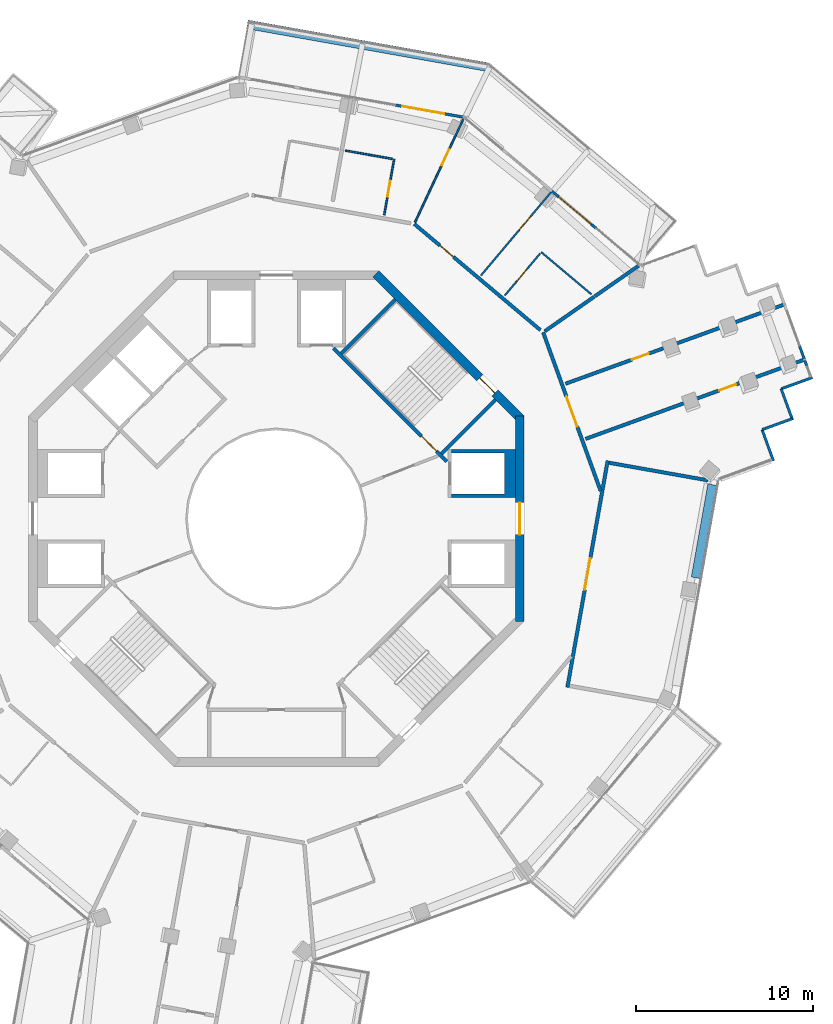
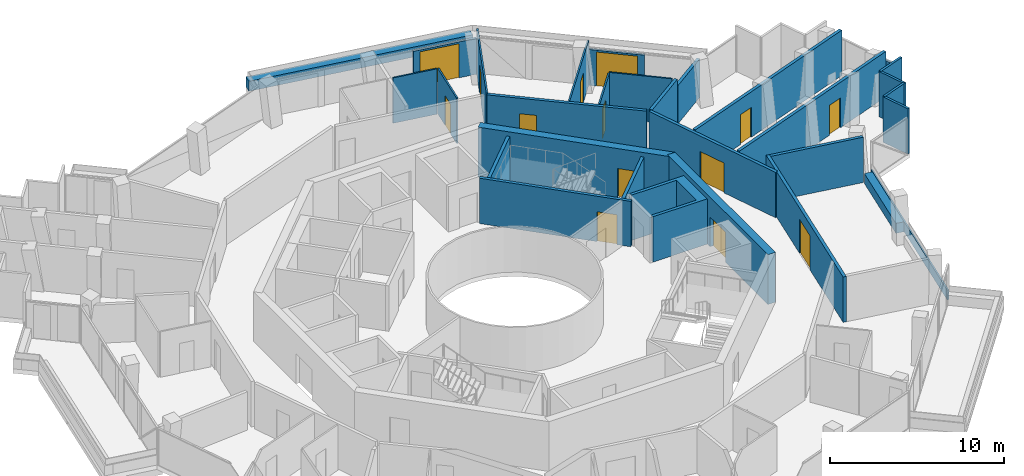
# One storey, part 18 of 22: 31 walls, 14 doors, 14 openings.
"""IFC4 building model written with IfcOpenShell, lengths in metres."""

from ifc_helpers import new_model, si_unit, direction, frame, frame_2d, origin, place, context, subcontext, project, spatial, polyline, rectangle, outline, extrude, material, layer, layer_set, type_object, element, fill, save


model = new_model("IFC4")

# Units and contexts
model_context = context("Model", 3, precision=1e-05, world=origin(), true_north=direction((0.0, 1.0)))
body_context = subcontext(model_context, "Body", "Model", "MODEL_VIEW")
ifc_project = project(units=[si_unit("LENGTHUNIT", "METRE"), si_unit("AREAUNIT", "SQUARE_METRE"), si_unit("VOLUMEUNIT", "CUBIC_METRE"), si_unit("PLANEANGLEUNIT", "RADIAN"), si_unit("MASSUNIT", "GRAM", prefix="KILO")], contexts=[model_context])

# Site, building, storey
site_placement = place(None, origin())
site = spatial("IfcSite", under=ifc_project, at=site_placement, CompositionType="ELEMENT")
building_placement = place(site_placement, origin())
building = spatial("IfcBuilding", under=site, at=building_placement, Name="Verdalira Terraces Hotel", CompositionType="ELEMENT")
storey_placement = place(building_placement, frame((0.0, 0.0, 237.5)))
storey = spatial("IfcBuildingStorey", under=building, at=storey_placement, Name="L58", CompositionType="ELEMENT", Elevation=237.5)

# Walls
ifc_material_1 = material(Name="Concrete C40", Category="concrete")
ifc_layer_1 = layer(ifc_material_1, 0.5)
ifc_layer_set_1 = layer_set([ifc_layer_1], Name="Balcony planter trough with tree")
wall_type_1 = type_object("IfcWallType", Name="Balcony planter trough with tree", PredefinedType="SOLIDWALL", material=ifc_layer_set_1)
wall_1_placement = place(storey_placement, frame((11.874023, 25.52417, 0.0), z_axis=(0.0, 0.0, 1.0), x_axis=(-0.984565369, 0.175017239, 0.0)))
element("IfcWall", 1, at=wall_1_placement, inside=storey, type_object=wall_type_1, Name="Balcony planter", PredefinedType="SOLIDWALL", context=body_context, shape_type="SweptSolid", body=[
    extrude(rectangle(XDim=13.723633, YDim=0.5, at=frame_2d((6.861816, 0.0))), origin(), (0.0, 0.0, 1.0), 0.699951),
])
ifc_material_2 = material(Name="Moisture-resistant gypsum board partition")
ifc_layer_2 = layer(ifc_material_2, 0.10009765625)
ifc_layer_set_2 = layer_set([ifc_layer_2], Name="Bathroom partition 100 mm")
wall_type_2 = type_object("IfcWallType", Name="Bathroom partition 100 mm", PredefinedType="PARTITIONING", material=ifc_layer_set_2)
wall_2_placement = place(storey_placement, frame((6.55835, 20.324219, 0.0), z_axis=(0.0, 0.0, 1.0), x_axis=(-0.984572549, 0.174976844, 0.0)))
element("IfcWall", 2, at=wall_2_placement, inside=storey, type_object=wall_type_2, Name="Bathroom partition", PredefinedType="PARTITIONING", context=body_context, shape_type="SweptSolid", body=[
    extrude(rectangle(XDim=2.699951, YDim=0.100098, at=frame_2d((1.350098, 0.0))), origin(), (0.0, 0.0, 1.0), 3.189941),
])

# Wall, opening, door
wall_3_placement = place(storey_placement, frame((6.09668, 17.156006, 0.0), z_axis=(0.0, 0.0, 1.0), x_axis=(0.175090855, 0.98455228, 0.0)))
wall_3 = element("IfcWall", 3, at=wall_3_placement, inside=storey, type_object=wall_type_2, Name="Bathroom partition", PredefinedType="PARTITIONING", context=body_context, shape_type="SweptSolid", body=[
    extrude(rectangle(XDim=3.199951, YDim=0.100098, at=frame_2d((1.600098, 0.0))), origin(), (0.0, 0.0, 1.0), 3.189941),
])
opening_1_placement = place(wall_3_placement, frame((1.050049, 0.0, 0.0)))
opening_1 = element("IfcOpeningElement", 4, at=opening_1_placement, cuts=wall_3, Name="Opening L58-126", PredefinedType="OPENING", context=body_context, shape_type="SweptSolid", body=[
    extrude(rectangle(XDim=0.899902, YDim=2.100098, at=frame_2d((0.449951, 1.050049))), frame((0.0, 0.060059, 0.0), z_axis=(0.0, -1.0, 0.0), x_axis=(1.0, 0.0, 0.0)), (0.0, 0.0, 1.0), 0.120117),
])
ifc_material_3 = material(Name="Timber door", Category="wood")
door_type_1 = type_object("IfcDoorType", Name="Bathroom door 900 x 2100", OperationType="NOTDEFINED", PredefinedType="DOOR", material=ifc_material_3)
door_1_placement = place(opening_1_placement, origin())
door_1 = element("IfcDoor", 5, at=door_1_placement, inside=storey, type_object=door_type_1, Name="Bathroom door 5809", OperationType="SINGLE_SWING_RIGHT", OverallHeight=2.10009765625, OverallWidth=0.89990234375, PredefinedType="DOOR", context=body_context, shape_type="SweptSolid", body=[
    extrude(rectangle(XDim=0.899902, YDim=2.100098, at=frame_2d((0.449951, 1.050049))), frame((0.0, 0.024902, 0.0), z_axis=(0.0, -1.0, 0.0), x_axis=(1.0, 0.0, 0.0)), (0.0, 0.0, 1.0), 0.050049),
])
fill(opening_1, door_1)

wall_4_placement = place(storey_placement, frame((7.836914, 16.745117, 0.0), z_axis=(0.0, 0.0, 1.0), x_axis=(0.423869701, 0.905723179, 0.0)))
wall_4 = element("IfcWall", 6, at=wall_4_placement, inside=storey, type_object=wall_type_2, Name="Bathroom partition", PredefinedType="PARTITIONING", context=body_context, shape_type="SweptSolid", body=[
    extrude(rectangle(XDim=6.47583, YDim=0.100098, at=frame_2d((3.237793, 0.0))), origin(), (0.0, 0.0, 1.0), 3.189941),
])
opening_2_placement = place(wall_4_placement, frame((3.550049, 0.0, 0.0)))
opening_2 = element("IfcOpeningElement", 7, at=opening_2_placement, cuts=wall_4, Name="Opening L58-124", PredefinedType="OPENING", context=body_context, shape_type="SweptSolid", body=[
    extrude(rectangle(XDim=1.0, YDim=2.100098, at=frame_2d((0.5, 1.050049))), frame((0.0, 0.060059, 0.0), z_axis=(0.0, -1.0, 0.0), x_axis=(1.0, 0.0, 0.0)), (0.0, 0.0, 1.0), 0.120117),
])
ifc_material_4 = material(Name="Timber door", Category="wood")
door_type_2 = type_object("IfcDoorType", Name="Suite internal door 1000 x 2100", OperationType="NOTDEFINED", PredefinedType="DOOR", material=ifc_material_4)
door_2_placement = place(opening_2_placement, origin())
door_2 = element("IfcDoor", 8, at=door_2_placement, inside=storey, type_object=door_type_2, Name="Suite internal door 5809", OperationType="SINGLE_SWING_LEFT", OverallHeight=2.10009765625, OverallWidth=1.0, PredefinedType="DOOR", context=body_context, shape_type="SweptSolid", body=[
    extrude(rectangle(XDim=1.0, YDim=2.100098, at=frame_2d((0.5, 1.050049))), frame((0.0, 0.024902, 0.0), z_axis=(0.0, -1.0, 0.0), x_axis=(1.0, 0.0, 0.0)), (0.0, 0.0, 1.0), 0.050049),
])
fill(opening_2, door_2)

wall_5_placement = place(storey_placement, frame((15.522217, 18.446289, 0.0), z_axis=(0.0, 0.0, 1.0), x_axis=(-0.643863094, -0.765140716, 0.0)))
wall_5 = element("IfcWall", 9, at=wall_5_placement, inside=storey, type_object=wall_type_2, Name="Bathroom partition", PredefinedType="PARTITIONING", context=body_context, shape_type="SweptSolid", body=[
    extrude(rectangle(XDim=6.149902, YDim=0.100098, at=frame_2d((3.074951, 0.0))), origin(), (0.0, 0.0, 1.0), 3.189941),
])
opening_3_placement = place(wall_5_placement, frame((1.800049, 0.0, 0.0)))
opening_3 = element("IfcOpeningElement", 10, at=opening_3_placement, cuts=wall_5, Name="Opening L58-123", PredefinedType="OPENING", context=body_context, shape_type="SweptSolid", body=[
    extrude(rectangle(XDim=1.0, YDim=2.100098, at=frame_2d((0.5, 1.050049))), frame((0.0, 0.060059, 0.0), z_axis=(0.0, -1.0, 0.0), x_axis=(1.0, 0.0, 0.0)), (0.0, 0.0, 1.0), 0.120117),
])
door_3_placement = place(opening_3_placement, origin())
door_3 = element("IfcDoor", 11, at=door_3_placement, inside=storey, type_object=door_type_2, Name="Suite internal door 5809", OperationType="SINGLE_SWING_LEFT", OverallHeight=2.10009765625, OverallWidth=1.0, PredefinedType="DOOR", context=body_context, shape_type="SweptSolid", body=[
    extrude(rectangle(XDim=1.0, YDim=2.100098, at=frame_2d((0.5, 1.050049))), frame((0.0, 0.024902, 0.0), z_axis=(0.0, -1.0, 0.0), x_axis=(1.0, 0.0, 0.0)), (0.0, 0.0, 1.0), 0.050049),
])
fill(opening_3, door_3)

wall_6_placement = place(storey_placement, frame((14.903809, 14.980713, 0.0), z_axis=(0.0, 0.0, 1.0), x_axis=(-0.643817992, -0.765178668, 0.0)))
wall_6 = element("IfcWall", 12, at=wall_6_placement, inside=storey, type_object=wall_type_2, Name="Bathroom partition", PredefinedType="PARTITIONING", context=body_context, shape_type="SweptSolid", body=[
    extrude(rectangle(XDim=3.100098, YDim=0.100098, at=frame_2d((1.550049, 0.0))), origin(), (0.0, 0.0, 1.0), 3.189941),
])
opening_4_placement = place(wall_6_placement, frame((1.149902, 0.0, 0.0)))
opening_4 = element("IfcOpeningElement", 13, at=opening_4_placement, cuts=wall_6, Name="Opening L58-125", PredefinedType="OPENING", context=body_context, shape_type="SweptSolid", body=[
    extrude(rectangle(XDim=0.899902, YDim=2.100098, at=frame_2d((0.449951, 1.050049))), frame((0.0, 0.060059, 0.0), z_axis=(0.0, -1.0, 0.0), x_axis=(1.0, 0.0, 0.0)), (0.0, 0.0, 1.0), 0.120117),
])
door_4_placement = place(opening_4_placement, origin())
door_4 = element("IfcDoor", 14, at=door_4_placement, inside=storey, type_object=door_type_1, Name="Bathroom door 5809", OperationType="SINGLE_SWING_LEFT", OverallHeight=2.10009765625, OverallWidth=0.89990234375, PredefinedType="DOOR", context=body_context, shape_type="SweptSolid", body=[
    extrude(rectangle(XDim=0.899902, YDim=2.100098, at=frame_2d((0.449951, 1.050049))), frame((0.0, 0.024902, 0.0), z_axis=(0.0, -1.0, 0.0), x_axis=(1.0, 0.0, 0.0)), (0.0, 0.0, 1.0), 0.050049),
])
fill(opening_4, door_4)

# Walls
wall_7_placement = place(storey_placement, frame((17.80249, 12.672363, 0.0), z_axis=(0.0, 0.0, 1.0), x_axis=(-0.765170938, 0.643827179, 0.0)))
element("IfcWall", 15, at=wall_7_placement, inside=storey, type_object=wall_type_2, Name="Bathroom partition", PredefinedType="PARTITIONING", context=body_context, shape_type="SweptSolid", body=[
    extrude(rectangle(XDim=3.704102, YDim=0.100098, at=frame_2d((1.852051, 0.0))), origin(), (0.0, 0.0, 1.0), 3.189941),
])
ifc_material_5 = material(Name="Concrete C50", Category="concrete")
ifc_layer_3 = layer(ifc_material_5, 0.199951171875)
ifc_layer_set_3 = layer_set([ifc_layer_3], Name="Core RC wall 200 C50")
wall_type_3 = type_object("IfcWallType", Name="Core RC wall 200 C50", PredefinedType="SOLIDWALL", material=ifc_layer_set_3)
wall_8_placement = place(storey_placement, origin())
element("IfcWall", 16, at=wall_8_placement, inside=storey, type_object=wall_type_3, Name="L58 shaft wall E2", PredefinedType="SOLIDWALL", context=body_context, shape_type="SweptSolid", body=[
    extrude(outline(polyline([(13.5, 3.899902), (13.5, 1.199951), (9.899902, 1.199951), (9.899902, 1.399902), (12.899902, 1.399902), (12.899902, 3.699951), (9.899902, 3.699951), (9.899902, 3.899902), (13.5, 3.899902)])), origin(), (0.0, 0.0, 1.0), 3.189941),
])

# Wall, opening, door
wall_9_placement = place(storey_placement, frame((3.23999, 9.629395, 0.0), z_axis=(0.0, 0.0, 1.0), x_axis=(0.707106781, -0.707106781, 0.0)))
wall_9 = element("IfcWall", 17, at=wall_9_placement, inside=storey, type_object=wall_type_3, Name="L58 stair ST1 front wall", PredefinedType="SOLIDWALL", context=body_context, shape_type="SweptSolid", body=[
    extrude(rectangle(XDim=9.035889, YDim=0.199951, at=frame_2d((4.518066, 0.0))), origin(), (0.0, 0.0, 1.0), 3.189941),
])
opening_5_placement = place(wall_9_placement, frame((7.017822, 0.0, 0.0)))
opening_5 = element("IfcOpeningElement", 18, at=opening_5_placement, cuts=wall_9, Name="Opening L58-810", PredefinedType="OPENING", context=body_context, shape_type="SweptSolid", body=[
    extrude(rectangle(XDim=1.199951, YDim=2.100098, at=frame_2d((0.600098, 1.050049))), frame((0.0, 0.109863, 0.0), z_axis=(0.0, -1.0, 0.0), x_axis=(1.0, 0.0, 0.0)), (0.0, 0.0, 1.0), 0.219971),
])
ifc_material_6 = material(Name="Steel fire door", Category="steel")
door_type_3 = type_object("IfcDoorType", Name="Stair door 1200 x 2100", OperationType="NOTDEFINED", PredefinedType="DOOR", material=ifc_material_6)
door_5_placement = place(opening_5_placement, origin())
door_5 = element("IfcDoor", 19, at=door_5_placement, inside=storey, type_object=door_type_3, Name="Stair door ST1 L58", OperationType="SINGLE_SWING_RIGHT", OverallHeight=2.10009765625, OverallWidth=1.199951171875, PredefinedType="DOOR", context=body_context, shape_type="SweptSolid", body=[
    extrude(rectangle(XDim=1.199951, YDim=2.100098, at=frame_2d((0.600098, 1.050049))), frame((0.0, 0.024902, 0.0), z_axis=(0.0, -1.0, 0.0), x_axis=(1.0, 0.0, 0.0)), (0.0, 0.0, 1.0), 0.050049),
])
fill(opening_5, door_5)

# Walls
for number, where, z_axis, x_axis, name in (
    (20, (9.33374, 3.677002, 0.0), (0.0, 0.0, 1.0), (0.707135168, 0.707078393, 0.0), "L58 stair ST1 end wall 1"),
    (21, (3.677002, 9.33374, 0.0), (0.0, 0.0, 1.0), (0.707078393, 0.707135168, 0.0), "L58 stair ST1 end wall 2"),
):
    element("IfcWall", number, at=place(storey_placement, frame(where, z_axis=z_axis, x_axis=x_axis)), inside=storey, type_object=wall_type_3, Name=name, PredefinedType="SOLIDWALL", context=body_context, shape_type="SweptSolid", body=[
        extrude(rectangle(XDim=4.300049, YDim=0.199951, at=frame_2d((2.149902, 0.0))), origin(), (0.0, 0.0, 1.0), 3.189941),
    ])

# Wall, opening, door
ifc_material_7 = material(Name="Concrete C50", Category="concrete")
ifc_layer_4 = layer(ifc_material_7, 0.5)
ifc_layer_set_4 = layer_set([ifc_layer_4], Name="Core wall 500 C50")
wall_type_4 = type_object("IfcWallType", Name="Core wall 500 C50", PredefinedType="SHEAR", material=ifc_layer_set_4)
wall_10_placement = place(storey_placement, frame((13.75, -5.799072, 0.0), z_axis=(0.0, 0.0, 1.0), x_axis=(0.0, 1.0, 0.0)))
wall_10 = element("IfcWall", 22, at=wall_10_placement, inside=storey, type_object=wall_type_4, Name="Core wall CW-L58-1", PredefinedType="SHEAR", context=body_context, shape_type="SweptSolid", body=[
    extrude(rectangle(XDim=11.598145, YDim=0.5, at=frame_2d((5.799072, 0.0))), origin(), (0.0, 0.0, 1.0), 3.5),
])
opening_6_placement = place(wall_10_placement, frame((4.898926, 0.0, 0.0)))
opening_6 = element("IfcOpeningElement", 23, at=opening_6_placement, cuts=wall_10, Name="Opening L58-813", PredefinedType="OPENING", context=body_context, shape_type="SweptSolid", body=[
    extrude(rectangle(XDim=1.800049, YDim=2.100098, at=frame_2d((0.899902, 1.050049))), frame((0.0, 0.26001, 0.0), z_axis=(0.0, -1.0, 0.0), x_axis=(1.0, 0.0, 0.0)), (0.0, 0.0, 1.0), 0.52002),
])
ifc_material_8 = material(Name="Steel fire door", Category="steel")
door_type_4 = type_object("IfcDoorType", Name="Core entry door pair 1800 x 2100", OperationType="NOTDEFINED", PredefinedType="DOOR", material=ifc_material_8)
door_6_placement = place(opening_6_placement, origin())
door_6 = element("IfcDoor", 24, at=door_6_placement, inside=storey, type_object=door_type_4, Name="Core entry door L58 0", OperationType="DOUBLE_DOOR_SINGLE_SWING", OverallHeight=2.10009765625, OverallWidth=1.800048828125, PredefinedType="DOOR", context=body_context, shape_type="SweptSolid", body=[
    extrude(rectangle(XDim=1.800049, YDim=2.100098, at=frame_2d((0.899902, 1.050049))), frame((0.0, 0.024902, 0.0), z_axis=(0.0, -1.0, 0.0), x_axis=(1.0, 0.0, 0.0)), (0.0, 0.0, 1.0), 0.050049),
])
fill(opening_6, door_6)

wall_11_placement = place(storey_placement, frame((13.823242, 5.622314, 0.0), z_axis=(0.0, 0.0, 1.0), x_axis=(-0.707106781, 0.707106781, 0.0)))
wall_11 = element("IfcWall", 25, at=wall_11_placement, inside=storey, type_object=wall_type_4, Name="Core wall CW-L58-2", PredefinedType="SHEAR", context=body_context, shape_type="SweptSolid", body=[
    extrude(rectangle(XDim=11.5979, YDim=0.5, at=frame_2d((5.798828, 0.0))), origin(), (0.0, 0.0, 1.0), 3.5),
])
opening_7_placement = place(wall_11_placement, frame((2.099121, 0.0, 0.0)))
opening_7 = element("IfcOpeningElement", 26, at=opening_7_placement, cuts=wall_11, Name="Opening L58-816", PredefinedType="OPENING", context=body_context, shape_type="SweptSolid", body=[
    extrude(rectangle(XDim=1.199951, YDim=2.100098, at=frame_2d((0.600098, 1.050049))), frame((0.0, 0.26001, 0.0), z_axis=(0.0, -1.0, 0.0), x_axis=(1.0, 0.0, 0.0)), (0.0, 0.0, 1.0), 0.52002),
])
door_7_placement = place(opening_7_placement, origin())
door_7 = element("IfcDoor", 27, at=door_7_placement, inside=storey, type_object=door_type_3, Name="Stair exit door ST1 L58", OperationType="SINGLE_SWING_LEFT", OverallHeight=2.10009765625, OverallWidth=1.199951171875, PredefinedType="DOOR", context=body_context, shape_type="SweptSolid", body=[
    extrude(rectangle(XDim=1.199951, YDim=2.100098, at=frame_2d((0.600098, 1.050049))), frame((0.0, 0.024902, 0.0), z_axis=(0.0, -1.0, 0.0), x_axis=(1.0, 0.0, 0.0)), (0.0, 0.0, 1.0), 0.050049),
])
fill(opening_7, door_7)

# Wall
ifc_material_9 = material(Name="Fire-rated gypsum board wall")
ifc_layer_5 = layer(ifc_material_9, 0.199951171875)
ifc_layer_set_5 = layer_set([ifc_layer_5], Name="Demising wall 200 mm")
wall_type_5 = type_object("IfcWallType", Name="Demising wall 200 mm", PredefinedType="SOLIDWALL", material=ifc_layer_set_5)
wall_12_placement = place(storey_placement, frame((15.159424, 10.583252, 0.0), z_axis=(0.0, 0.0, 1.0), x_axis=(0.819959349, 0.572421756, 0.0)))
element("IfcWall", 28, at=wall_12_placement, inside=storey, type_object=wall_type_5, Name="Demising wall", PredefinedType="SOLIDWALL", context=body_context, shape_type="SweptSolid", body=[
    extrude(rectangle(XDim=3.418457, YDim=0.199951, at=frame_2d((1.709229, 0.0))), origin(), (0.0, 0.0, 1.0), 3.189941),
])

# Wall, opening, door
wall_13_placement = place(storey_placement, frame((16.338867, 7.622803, 0.0), z_axis=(0.0, 0.0, 1.0), x_axis=(0.940170879, 0.34070327, 0.0)))
wall_13 = element("IfcWall", 29, at=wall_13_placement, inside=storey, type_object=wall_type_5, Name="Demising wall", PredefinedType="SOLIDWALL", context=body_context, shape_type="SweptSolid", body=[
    extrude(rectangle(XDim=13.086182, YDim=0.199951, at=frame_2d((6.542969, 0.0))), origin(), (0.0, 0.0, 1.0), 3.189941),
])
opening_8_placement = place(wall_13_placement, frame((4.0, 0.0, 0.0)))
opening_8 = element("IfcOpeningElement", 30, at=opening_8_placement, cuts=wall_13, Name="Opening L58-121", PredefinedType="OPENING", context=body_context, shape_type="SweptSolid", body=[
    extrude(rectangle(XDim=1.0, YDim=2.100098, at=frame_2d((0.5, 1.050049))), frame((0.0, 0.109863, 0.0), z_axis=(0.0, -1.0, 0.0), x_axis=(1.0, 0.0, 0.0)), (0.0, 0.0, 1.0), 0.219971),
])
ifc_material_10 = material(Name="Timber fire door", Category="wood")
door_type_5 = type_object("IfcDoorType", Name="Public room door 1000 x 2100", OperationType="NOTDEFINED", PredefinedType="DOOR", material=ifc_material_10)
door_8_placement = place(opening_8_placement, origin())
door_8 = element("IfcDoor", 31, at=door_8_placement, inside=storey, type_object=door_type_5, Name="Public room door 5808", OperationType="SINGLE_SWING_LEFT", OverallHeight=2.10009765625, OverallWidth=1.0, PredefinedType="DOOR", context=body_context, shape_type="SweptSolid", body=[
    extrude(rectangle(XDim=1.0, YDim=2.100098, at=frame_2d((0.5, 1.050049))), frame((0.0, 0.024902, 0.0), z_axis=(0.0, -1.0, 0.0), x_axis=(1.0, 0.0, 0.0)), (0.0, 0.0, 1.0), 0.050049),
])
fill(opening_8, door_8)

wall_14_placement = place(storey_placement, frame((29.771484, 8.964844, 0.0), z_axis=(0.0, 0.0, 1.0), x_axis=(-0.940173045, -0.340697294, 0.0)))
wall_14 = element("IfcWall", 32, at=wall_14_placement, inside=storey, type_object=wall_type_5, Name="Demising wall", PredefinedType="SOLIDWALL", context=body_context, shape_type="SweptSolid", body=[
    extrude(rectangle(XDim=13.086426, YDim=0.199951, at=frame_2d((6.543213, 0.0))), origin(), (0.0, 0.0, 1.0), 3.189941),
])
opening_9_placement = place(wall_14_placement, frame((4.050049, 0.0, 0.0)))
opening_9 = element("IfcOpeningElement", 33, at=opening_9_placement, cuts=wall_14, Name="Opening L58-120", PredefinedType="OPENING", context=body_context, shape_type="SweptSolid", body=[
    extrude(rectangle(XDim=1.0, YDim=2.100098, at=frame_2d((0.5, 1.050049))), frame((0.0, 0.109863, 0.0), z_axis=(0.0, -1.0, 0.0), x_axis=(1.0, 0.0, 0.0)), (0.0, 0.0, 1.0), 0.219971),
])
door_9_placement = place(opening_9_placement, origin())
door_9 = element("IfcDoor", 34, at=door_9_placement, inside=storey, type_object=door_type_5, Name="Public room door 5808", OperationType="SINGLE_SWING_LEFT", OverallHeight=2.10009765625, OverallWidth=1.0, PredefinedType="DOOR", context=body_context, shape_type="SweptSolid", body=[
    extrude(rectangle(XDim=1.0, YDim=2.100098, at=frame_2d((0.5, 1.050049))), frame((0.0, 0.024902, 0.0), z_axis=(0.0, -1.0, 0.0), x_axis=(1.0, 0.0, 0.0)), (0.0, 0.0, 1.0), 0.050049),
])
fill(opening_9, door_9)

# Wall
ifc_material_11 = material(Name="Fire-rated gypsum board wall")
ifc_layer_6 = layer(ifc_material_11, 0.199951171875)
ifc_layer_set_6 = layer_set([ifc_layer_6], Name="Demising wall 200 mm to beam soffit")
wall_type_6 = type_object("IfcWallType", Name="Demising wall 200 mm to beam soffit", PredefinedType="SOLIDWALL", material=ifc_layer_set_6)
wall_15_placement = place(storey_placement, frame((18.0, 12.566406, 0.0), z_axis=(0.0, 0.0, 1.0), x_axis=(0.819947314, 0.572438994, 0.0)))
element("IfcWall", 35, at=wall_15_placement, inside=storey, type_object=wall_type_6, Name="Demising wall", PredefinedType="SOLIDWALL", context=body_context, shape_type="SweptSolid", body=[
    extrude(rectangle(XDim=3.011475, YDim=0.199951, at=frame_2d((1.505859, 0.0))), origin(), (0.0, 0.0, 1.0), 2.689941),
])

# Wall, opening, door
ifc_material_12 = material(Name="Fire-rated gypsum board wall")
ifc_layer_7 = layer(ifc_material_12, 0.199951171875)
ifc_layer_set_7 = layer_set([ifc_layer_7], Name="Guest corridor wall 200 mm")
wall_type_7 = type_object("IfcWallType", Name="Guest corridor wall 200 mm", PredefinedType="SOLIDWALL", material=ifc_layer_set_7)
wall_16_placement = place(storey_placement, frame((7.792969, 16.651367, 0.0), z_axis=(0.0, 0.0, 1.0), x_axis=(0.765151702, -0.64385004, 0.0)))
wall_16 = element("IfcWall", 36, at=wall_16_placement, inside=storey, type_object=wall_type_7, Name="Guest corridor wall", PredefinedType="SOLIDWALL", context=body_context, shape_type="SweptSolid", body=[
    extrude(rectangle(XDim=9.31665, YDim=0.199951, at=frame_2d((4.658203, 0.0))), origin(), (0.0, 0.0, 1.0), 3.189941),
])
opening_10_placement = place(wall_16_placement, frame((1.899902, 0.0, 0.0)))
opening_10 = element("IfcOpeningElement", 37, at=opening_10_placement, cuts=wall_16, Name="Opening L58-122", PredefinedType="OPENING", context=body_context, shape_type="SweptSolid", body=[
    extrude(rectangle(XDim=1.0, YDim=2.100098, at=frame_2d((0.5, 1.050049))), frame((0.0, 0.109863, 0.0), z_axis=(0.0, -1.0, 0.0), x_axis=(1.0, 0.0, 0.0)), (0.0, 0.0, 1.0), 0.219971),
])
ifc_material_13 = material(Name="Timber fire door", Category="wood")
door_type_6 = type_object("IfcDoorType", Name="Guest entry door 1000 x 2100", OperationType="NOTDEFINED", PredefinedType="DOOR", material=ifc_material_13)
door_10_placement = place(opening_10_placement, origin())
door_10 = element("IfcDoor", 38, at=door_10_placement, inside=storey, type_object=door_type_6, Name="Guest entry door 5809", OperationType="SINGLE_SWING_LEFT", OverallHeight=2.10009765625, OverallWidth=1.0, PredefinedType="DOOR", context=body_context, shape_type="SweptSolid", body=[
    extrude(rectangle(XDim=1.0, YDim=2.100098, at=frame_2d((0.5, 1.050049))), frame((0.0, 0.024902, 0.0), z_axis=(0.0, -1.0, 0.0), x_axis=(1.0, 0.0, 0.0)), (0.0, 0.0, 1.0), 0.050049),
])
fill(opening_10, door_10)

wall_17_placement = place(storey_placement, frame((15.074707, 10.523926, 0.0), z_axis=(0.0, 0.0, 1.0), x_axis=(0.340721258, -0.94016436, 0.0)))
wall_17 = element("IfcWall", 39, at=wall_17_placement, inside=storey, type_object=wall_type_7, Name="Guest corridor wall", PredefinedType="SOLIDWALL", context=body_context, shape_type="SweptSolid", body=[
    extrude(rectangle(XDim=9.536377, YDim=0.199951, at=frame_2d((4.768066, 0.0))), origin(), (0.0, 0.0, 1.0), 3.189941),
])
opening_11_placement = place(wall_17_placement, frame((3.858398, 0.0, 0.0)))
opening_11 = element("IfcOpeningElement", 40, at=opening_11_placement, cuts=wall_17, Name="Opening L58-119", PredefinedType="OPENING", context=body_context, shape_type="SweptSolid", body=[
    extrude(rectangle(XDim=1.800049, YDim=2.100098, at=frame_2d((0.899902, 1.050049))), frame((0.0, 0.109863, 0.0), z_axis=(0.0, -1.0, 0.0), x_axis=(1.0, 0.0, 0.0)), (0.0, 0.0, 1.0), 0.219971),
])
ifc_material_14 = material(Name="Timber fire door", Category="wood")
door_type_7 = type_object("IfcDoorType", Name="Public room double door 1800 x 2100", OperationType="NOTDEFINED", PredefinedType="DOOR", material=ifc_material_14)
door_11_placement = place(opening_11_placement, origin())
door_11 = element("IfcDoor", 41, at=door_11_placement, inside=storey, type_object=door_type_7, Name="Public room double door 5808", OperationType="DOUBLE_DOOR_SINGLE_SWING", OverallHeight=2.10009765625, OverallWidth=1.800048828125, PredefinedType="DOOR", context=body_context, shape_type="SweptSolid", body=[
    extrude(rectangle(XDim=1.800049, YDim=2.100098, at=frame_2d((0.899902, 1.050049))), frame((0.0, 0.024902, 0.0), z_axis=(0.0, -1.0, 0.0), x_axis=(1.0, 0.0, 0.0)), (0.0, 0.0, 1.0), 0.050049),
])
fill(opening_11, door_11)

ifc_material_15 = material(Name="Terracotta cladding", Category="masonry")
ifc_layer_8 = layer(ifc_material_15, 0.199951171875)
ifc_layer_set_8 = layer_set([ifc_layer_8], Name="Loggia back wall 200")
wall_type_8 = type_object("IfcWallType", Name="Loggia back wall 200", PredefinedType="SOLIDWALL", material=ifc_layer_set_8)
wall_18_placement = place(storey_placement, frame((18.720215, 3.27417, 0.0), z_axis=(0.0, 0.0, 1.0), x_axis=(-0.175008658, -0.984566895, 0.0)))
wall_18 = element("IfcWall", 42, at=wall_18_placement, inside=storey, type_object=wall_type_8, Name="Loggia back wall", PredefinedType="SOLIDWALL", context=body_context, shape_type="SweptSolid", body=[
    extrude(rectangle(XDim=13.000244, YDim=0.199951, at=frame_2d((6.5, 0.0))), origin(), (0.0, 0.0, 1.0), 3.189941),
])
opening_12_placement = place(wall_18_placement, frame((5.600098, 0.0, 0.0)))
opening_12 = element("IfcOpeningElement", 43, at=opening_12_placement, cuts=wall_18, Name="Opening L58-L01", PredefinedType="OPENING", context=body_context, shape_type="SweptSolid", body=[
    extrude(rectangle(XDim=1.800049, YDim=2.399902, at=frame_2d((0.899902, 1.199951))), frame((0.0, 0.109863, 0.0), z_axis=(0.0, -1.0, 0.0), x_axis=(1.0, 0.0, 0.0)), (0.0, 0.0, 1.0), 0.219971),
])
ifc_material_16 = material(Name="Clear glass", Category="glass")
door_type_8 = type_object("IfcDoorType", Name="Garden double door 1800x2400", OperationType="NOTDEFINED", PredefinedType="DOOR", material=ifc_material_16)
door_12_placement = place(opening_12_placement, origin())
door_12 = element("IfcDoor", 44, at=door_12_placement, inside=storey, type_object=door_type_8, Name="Loggia double door", OperationType="DOUBLE_DOOR_SINGLE_SWING", OverallHeight=2.39990234375, OverallWidth=1.800048828125, PredefinedType="DOOR", context=body_context, shape_type="SweptSolid", body=[
    extrude(rectangle(XDim=1.800049, YDim=2.399902, at=frame_2d((0.899902, 1.199951))), frame((0.0, 0.024902, 0.0), z_axis=(0.0, -1.0, 0.0), x_axis=(1.0, 0.0, 0.0)), (0.0, 0.0, 1.0), 0.050049),
])
fill(opening_12, door_12)

# Walls
wall_19_placement = place(storey_placement, frame((24.386963, 2.165039, 0.0), z_axis=(0.0, 0.0, 1.0), x_axis=(-0.984557893, 0.175059291, 0.0)))
element("IfcWall", 45, at=wall_19_placement, inside=storey, type_object=wall_type_8, Name="Loggia side wall", PredefinedType="SOLIDWALL", context=body_context, shape_type="SweptSolid", body=[
    extrude(rectangle(XDim=5.67334, YDim=0.199951, at=frame_2d((2.83667, 0.0))), origin(), (0.0, 0.0, 1.0), 3.189941),
])
ifc_material_17 = material(Name="Concrete C40", Category="concrete")
ifc_layer_9 = layer(ifc_material_17, 0.5)
ifc_layer_set_9 = layer_set([ifc_layer_9], Name="Loggia planter trough with tree")
wall_type_9 = type_object("IfcWallType", Name="Loggia planter trough with tree", PredefinedType="SOLIDWALL", material=ifc_layer_set_9)
wall_20_placement = place(storey_placement, frame((23.689941, -3.336426, 0.0), z_axis=(0.0, 0.0, 1.0), x_axis=(0.175060918, 0.984557604, 0.0)))
element("IfcWall", 46, at=wall_20_placement, inside=storey, type_object=wall_type_9, Name="Loggia planter", PredefinedType="SOLIDWALL", context=body_context, shape_type="SweptSolid", body=[
    extrude(rectangle(XDim=5.338623, YDim=0.5, at=frame_2d((2.669434, 0.0))), origin(), (0.0, 0.0, 1.0), 0.699951),
])
ifc_material_18 = material(Name="Concrete C40", Category="concrete")
ifc_layer_10 = layer(ifc_material_18, 0.10009765625)
ifc_layer_set_10 = layer_set([ifc_layer_10], Name="Loggia upstand 100")
wall_type_10 = type_object("IfcWallType", Name="Loggia upstand 100", PredefinedType="SOLIDWALL", material=ifc_layer_set_10)
wall_21_placement = place(storey_placement, frame((22.710938, -10.557861, 0.0), z_axis=(0.0, 0.0, 1.0), x_axis=(0.175023914, 0.984564183, 0.0)))
element("IfcWall", 47, at=wall_21_placement, inside=storey, type_object=wall_type_10, Name="Loggia upstand", PredefinedType="SOLIDWALL", context=body_context, shape_type="SweptSolid", body=[
    extrude(rectangle(XDim=12.840088, YDim=0.100098, at=frame_2d((6.419922, 0.0))), origin(), (0.0, 0.0, 1.0), 0.699951),
])
ifc_material_19 = material(Name="Terracotta cladding", Category="masonry")
ifc_layer_11 = layer(ifc_material_19, 0.14990234375)
ifc_layer_set_11 = layer_set([ifc_layer_11], Name="Terracotta clad wall 150")
wall_type_11 = type_object("IfcWallType", Name="Terracotta clad wall 150", PredefinedType="SOLIDWALL", material=ifc_layer_set_11)
wall_22_placement = place(storey_placement, frame((28.087646, 3.265137, 0.0), z_axis=(0.0, 0.0, 1.0), x_axis=(-0.34065545, 0.940188207, 0.0)))
element("IfcWall", 48, at=wall_22_placement, inside=storey, type_object=wall_type_11, Name="Terracotta cladding wall", PredefinedType="SOLIDWALL", context=body_context, shape_type="SweptSolid", body=[
    extrude(rectangle(XDim=1.874756, YDim=0.149902, at=frame_2d((0.9375, 0.0))), origin(), (0.0, 0.0, 1.0), 3.189941),
])
wall_23_placement = place(storey_placement, frame((27.448975, 5.027832, 0.0), z_axis=(0.0, 0.0, 1.0), x_axis=(0.94015725, 0.340740876, 0.0)))
element("IfcWall", 49, at=wall_23_placement, inside=storey, type_object=wall_type_11, Name="Terracotta cladding wall", PredefinedType="SOLIDWALL", context=body_context, shape_type="SweptSolid", body=[
    extrude(rectangle(XDim=1.799805, YDim=0.149902, at=frame_2d((0.899902, 0.0))), origin(), (0.0, 0.0, 1.0), 3.189941),
])
wall_24_placement = place(storey_placement, frame((29.166748, 5.570557, 0.0), z_axis=(0.0, 0.0, 1.0), x_axis=(-0.340728838, 0.940161613, 0.0)))
element("IfcWall", 50, at=wall_24_placement, inside=storey, type_object=wall_type_11, Name="Terracotta cladding wall", PredefinedType="SOLIDWALL", context=body_context, shape_type="SweptSolid", body=[
    extrude(rectangle(XDim=1.875244, YDim=0.149902, at=frame_2d((0.9375, 0.0))), origin(), (0.0, 0.0, 1.0), 3.189941),
])
wall_25_placement = place(storey_placement, frame((28.527832, 7.333496, 0.0), z_axis=(0.0, 0.0, 1.0), x_axis=(0.940203316, 0.340613748, 0.0)))
element("IfcWall", 51, at=wall_25_placement, inside=storey, type_object=wall_type_11, Name="Terracotta cladding wall", PredefinedType="SOLIDWALL", context=body_context, shape_type="SweptSolid", body=[
    extrude(rectangle(XDim=1.875, YDim=0.149902, at=frame_2d((0.9375, 0.0))), origin(), (0.0, 0.0, 1.0), 3.189941),
])
ifc_material_20 = material(Name="Terracotta cladding", Category="masonry")
ifc_layer_12 = layer(ifc_material_20, 0.14990234375)
ifc_layer_set_12 = layer_set([ifc_layer_12], Name="Terracotta column pier 150")
wall_type_12 = type_object("IfcWallType", Name="Terracotta column pier 150", PredefinedType="SOLIDWALL", material=ifc_layer_set_12)
wall_26_placement = place(storey_placement, frame((29.993652, 8.572021, 0.0), z_axis=(0.0, 0.0, 1.0), x_axis=(-0.341065611, 0.940039493, 0.0)))
element("IfcWall", 52, at=wall_26_placement, inside=storey, type_object=wall_type_12, Name="Terracotta column pier", PredefinedType="SOLIDWALL", context=body_context, shape_type="SweptSolid", body=[
    extrude(rectangle(XDim=0.405273, YDim=0.149902, at=frame_2d((0.202637, 0.0))), origin(), (0.0, 0.0, 1.0), 2.524902),
])
wall_27_placement = place(storey_placement, frame((29.828369, 9.028076, 0.0), z_axis=(0.0, 0.0, 1.0), x_axis=(-0.340840704, 0.940121064, 0.0)))
element("IfcWall", 53, at=wall_27_placement, inside=storey, type_object=wall_type_12, Name="Terracotta column pier", PredefinedType="SOLIDWALL", context=body_context, shape_type="SweptSolid", body=[
    extrude(rectangle(XDim=0.782227, YDim=0.149902, at=frame_2d((0.391113, 0.0))), origin(), (0.0, 0.0, 1.0), 2.524902),
])

# Wall, opening, door
ifc_material_21 = material(Name="Terracotta cladding", Category="masonry")
ifc_layer_13 = layer(ifc_material_21, 0.14990234375)
ifc_layer_set_13 = layer_set([ifc_layer_13], Name="Terracotta door pier 150")
wall_type_13 = type_object("IfcWallType", Name="Terracotta door pier 150", PredefinedType="SOLIDWALL", material=ifc_layer_set_13)
wall_28_placement = place(storey_placement, frame((18.095459, 16.37915, 0.0), z_axis=(0.0, 0.0, 1.0), x_axis=(-0.765168231, 0.643830395, 0.0)))
wall_28 = element("IfcWall", 54, at=wall_28_placement, inside=storey, type_object=wall_type_13, Name="Terracotta door pier", PredefinedType="SOLIDWALL", context=body_context, shape_type="SweptSolid", body=[
    extrude(rectangle(XDim=3.299805, YDim=0.149902, at=frame_2d((1.649902, 0.0))), origin(), (0.0, 0.0, 1.0), 2.524902),
])
opening_13_placement = place(wall_28_placement, frame((0.399902, 0.0, 0.0)))
opening_13 = element("IfcOpeningElement", 55, at=opening_13_placement, cuts=wall_28, Name="Opening L58-B12", PredefinedType="OPENING", context=body_context, shape_type="SweptSolid", body=[
    extrude(rectangle(XDim=2.399902, YDim=2.399902, at=frame_2d((1.199951, 1.199951))), frame((0.0, 0.084961, 0.0), z_axis=(0.0, -1.0, 0.0), x_axis=(1.0, 0.0, 0.0)), (0.0, 0.0, 1.0), 0.169922),
])
ifc_material_22 = material(Name="Clear glass", Category="glass")
door_type_9 = type_object("IfcDoorType", Name="Balcony sliding door 2400x2400", OperationType="NOTDEFINED", PredefinedType="DOOR", material=ifc_material_22)
door_13_placement = place(opening_13_placement, origin())
door_13 = element("IfcDoor", 56, at=door_13_placement, inside=storey, type_object=door_type_9, Name="Balcony sliding door", OperationType="SLIDING_TO_RIGHT", OverallHeight=2.39990234375, OverallWidth=2.39990234375, PredefinedType="DOOR", context=body_context, shape_type="SweptSolid", body=[
    extrude(rectangle(XDim=2.399902, YDim=2.399902, at=frame_2d((1.199951, 1.199951))), frame((0.0, 0.024902, 0.0), z_axis=(0.0, -1.0, 0.0), x_axis=(1.0, 0.0, 0.0)), (0.0, 0.0, 1.0), 0.050049),
])
fill(opening_13, door_13)

wall_29_placement = place(storey_placement, frame((10.533691, 22.689941, 0.0), z_axis=(0.0, 0.0, 1.0), x_axis=(-0.984569042, 0.174996577, 0.0)))
wall_29 = element("IfcWall", 57, at=wall_29_placement, inside=storey, type_object=wall_type_13, Name="Terracotta door pier", PredefinedType="SOLIDWALL", context=body_context, shape_type="SweptSolid", body=[
    extrude(rectangle(XDim=3.863037, YDim=0.149902, at=frame_2d((1.931641, 0.0))), origin(), (0.0, 0.0, 1.0), 2.524902),
])
opening_14_placement = place(wall_29_placement, frame((1.062988, 0.0, 0.0)))
opening_14 = element("IfcOpeningElement", 58, at=opening_14_placement, cuts=wall_29, Name="Opening L58-B14", PredefinedType="OPENING", context=body_context, shape_type="SweptSolid", body=[
    extrude(rectangle(XDim=2.399902, YDim=2.399902, at=frame_2d((1.199951, 1.199951))), frame((0.0, 0.084961, 0.0), z_axis=(0.0, -1.0, 0.0), x_axis=(1.0, 0.0, 0.0)), (0.0, 0.0, 1.0), 0.169922),
])
door_14_placement = place(opening_14_placement, origin())
door_14 = element("IfcDoor", 59, at=door_14_placement, inside=storey, type_object=door_type_9, Name="Balcony sliding door", OperationType="SLIDING_TO_LEFT", OverallHeight=2.39990234375, OverallWidth=2.39990234375, PredefinedType="DOOR", context=body_context, shape_type="SweptSolid", body=[
    extrude(rectangle(XDim=2.399902, YDim=2.399902, at=frame_2d((1.199951, 1.199951))), frame((0.0, 0.024902, 0.0), z_axis=(0.0, -1.0, 0.0), x_axis=(1.0, 0.0, 0.0)), (0.0, 0.0, 1.0), 0.050049),
])
fill(opening_14, door_14)

save(model, "model.ifc")
